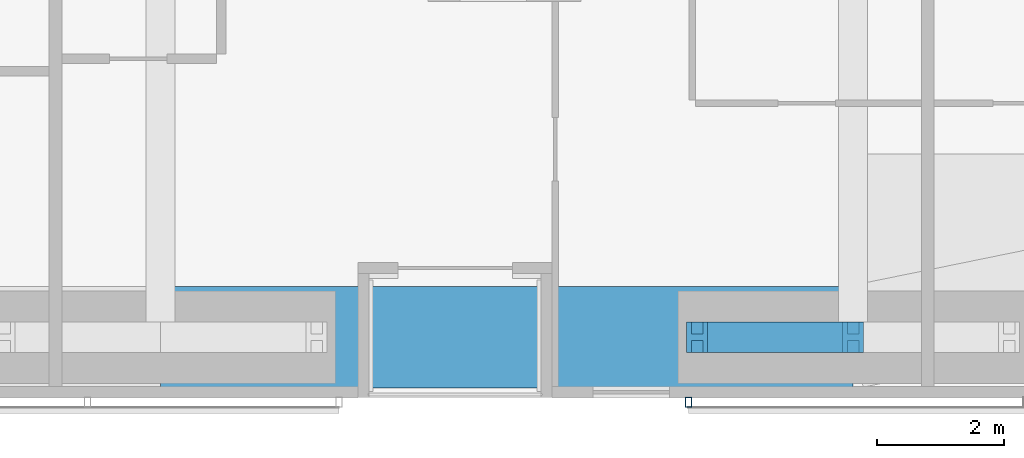
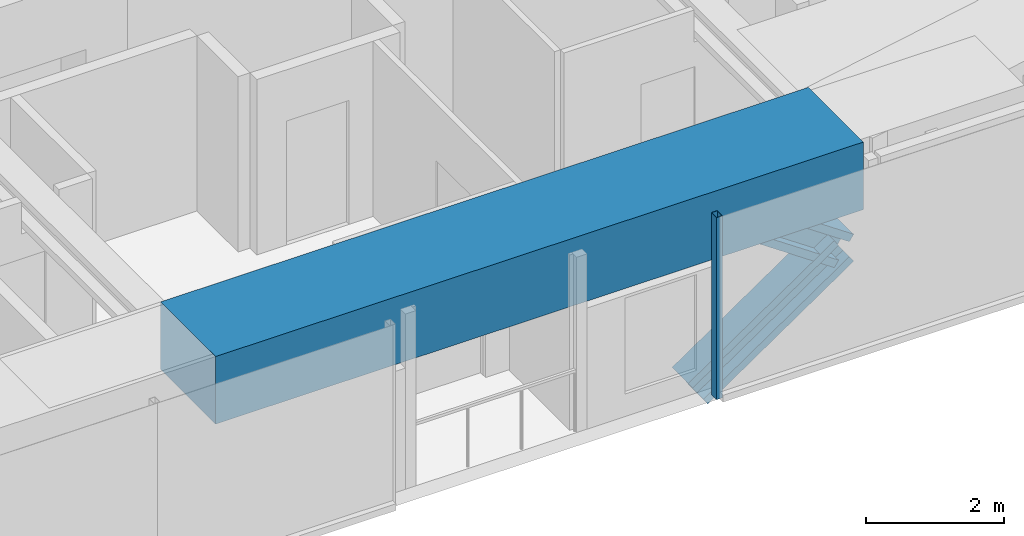
# One storey, part 5 of 23: 3 members, 1 beam, 1 element without a shape of its own.
"""IFC4 building model written with IfcOpenShell, lengths in metres."""

from ifc_helpers import new_model, si_unit, direction, frame, origin, origin_2d, place, context, subcontext, project, spatial, rectangle, hollow_rectangle, i_section, extrude, material, material_profile, profile_set, type_object, element, aggregate, save


model = new_model("IFC4")

# Units and contexts
model_context = context("Model", 3, precision=1e-05, world=origin(), true_north=direction((0.0, 1.0)))
body_context = subcontext(model_context, "Body", "Model", "MODEL_VIEW")
ifc_project = project(units=[si_unit("LENGTHUNIT", "METRE"), si_unit("AREAUNIT", "SQUARE_METRE"), si_unit("VOLUMEUNIT", "CUBIC_METRE"), si_unit("PLANEANGLEUNIT", "RADIAN"), si_unit("MASSUNIT", "GRAM", prefix="KILO")], contexts=[model_context])

# Site, building, storey
site_placement = place(None, origin())
site = spatial("IfcSite", under=ifc_project, at=site_placement, CompositionType="ELEMENT")
building_placement = place(site_placement, origin())
building = spatial("IfcBuilding", under=site, at=building_placement, Name="Jalousie Tower", CompositionType="ELEMENT")
storey_placement = place(building_placement, frame((0.0, 0.0, 108.199951171875)))
storey = spatial("IfcBuildingStorey", under=building, at=storey_placement, Name="L29", CompositionType="ELEMENT", Elevation=108.199951171875)

# Members
ifc_material_1 = material(Name="Steel ASTM A992 Grade 50", Category="steel")
ifc_material_profile_1 = material_profile(ifc_material_1, i_section(OverallWidth=0.472412109375, OverallDepth=0.5791015625, WebThickness=0.094970703125, FlangeThickness=0.1298828125, at=origin_2d()), Name="W14X808")
ifc_profile_set_1 = profile_set([ifc_material_profile_1], Name="Steel ASTM A992 Grade 50")
member_type_1 = type_object("IfcMemberType", Name="PERIMETER BRACE W14X808", PredefinedType="BRACE", material=ifc_profile_set_1)
for number, where, z_axis, x_axis, name in (
    (1, (36.175048828125, 0.949951171875, -0.599853515625), (0.825539243753, 0.0, 0.564344714713), (0.0, 1.0, 0.0), "Perimeter brace 04 L29 part 1"),
    (2, (38.625, 0.949951171875, 1.074951171875), (-0.825500916831, 0.0, 0.564400776321), (0.0, -1.0, 0.0), "Perimeter brace 04 L29 part 4"),
):
    element("IfcMember", number, at=place(storey_placement, frame(where, z_axis=z_axis, x_axis=x_axis)), inside=storey, type_object=member_type_1, Name=name, PredefinedType="BRACE", context=body_context, shape_type="SweptSolid", body=[
        extrude(i_section(OverallWidth=0.472412109375, OverallDepth=0.5791015625, WebThickness=0.094970703125, FlangeThickness=0.1298828125, at=origin_2d()), origin(), (0.0, 0.0, 1.0), 2.9677734375),
    ])

# Beam
ifc_material_2 = material(Name="Concrete f'c 40 MPa", Category="concrete")
ifc_material_profile_2 = material_profile(ifc_material_2, rectangle(XDim=1.60009765625, YDim=1.199951171875, at=origin_2d()), Name="RC 1600x1200")
ifc_profile_set_2 = profile_set([ifc_material_profile_2], Name="Concrete f'c 40 MPa")
beam_type = type_object("IfcBeamType", Name="RC BEAM 1600x1200", PredefinedType="BEAM", material=ifc_profile_set_2)
beam_placement = place(storey_placement, frame((27.75, 0.949951171875, 2.75), z_axis=(1.0, 0.0, 0.0), x_axis=(0.0, 1.0, 0.0)))
element("IfcBeam", 3, at=beam_placement, inside=storey, type_object=beam_type, Name="Edge band beam 03-04 under L30", PredefinedType="BEAM", context=body_context, shape_type="SweptSolid", body=[
    extrude(rectangle(XDim=1.60009765625, YDim=1.199951171875, at=origin_2d()), origin(), (0.0, 0.0, 1.0), 10.875),
])

# Curtain wall, member
ifc_material_3 = material(Name="Perforated aluminium sheet", Category="aluminium")
curtain_wall_type = type_object("IfcCurtainWallType", Name="SOLAR SCREEN SS-1", PredefinedType="USERDEFINED", material=ifc_material_3)
curtain_wall_placement = place(storey_placement, origin())
curtain_wall = element("IfcCurtainWall", 4, at=curtain_wall_placement, inside=storey, type_object=curtain_wall_type, Name="Solar screen L29", ObjectType="SOLAR SCREEN SS-1", PredefinedType="USERDEFINED")
ifc_material_4 = material(Name="Steel ASTM A500 Grade C", Category="steel")
ifc_material_profile_3 = material_profile(ifc_material_4, hollow_rectangle(XDim=0.1015625, YDim=0.15234375, WallThickness=0.00634765625, at=origin_2d()), Name="HSS6X4X1/4")
ifc_profile_set_3 = profile_set([ifc_material_profile_3], Name="Steel ASTM A500 Grade C")
member_type_2 = type_object("IfcMemberType", Name="SOLAR SCREEN SS-1 MULLION", PredefinedType="MULLION", material=ifc_profile_set_3)
member_placement = place(storey_placement, frame((36.0400390625, -0.0712890625, -0.119873046875), z_axis=(0.0, 0.0, 1.0), x_axis=(1.0, 0.0, 0.0)))
member = element("IfcMember", 5, at=member_placement, type_object=member_type_2, Name="SS1 post 1", PredefinedType="MULLION", context=body_context, shape_type="SweptSolid", body=[
    extrude(hollow_rectangle(XDim=0.1015625, YDim=0.15234375, WallThickness=0.00634765625, at=origin_2d()), origin(), (0.0, 0.0, 1.0), 3.22998046875),
])
aggregate(curtain_wall, [member])

save(model, "model.ifc")
